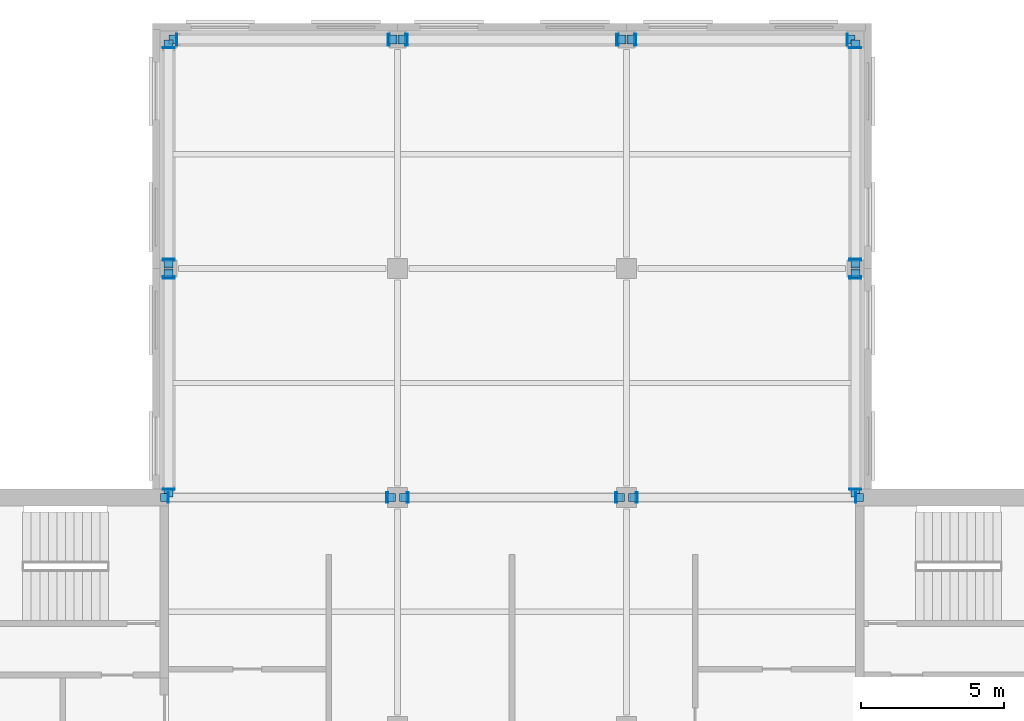
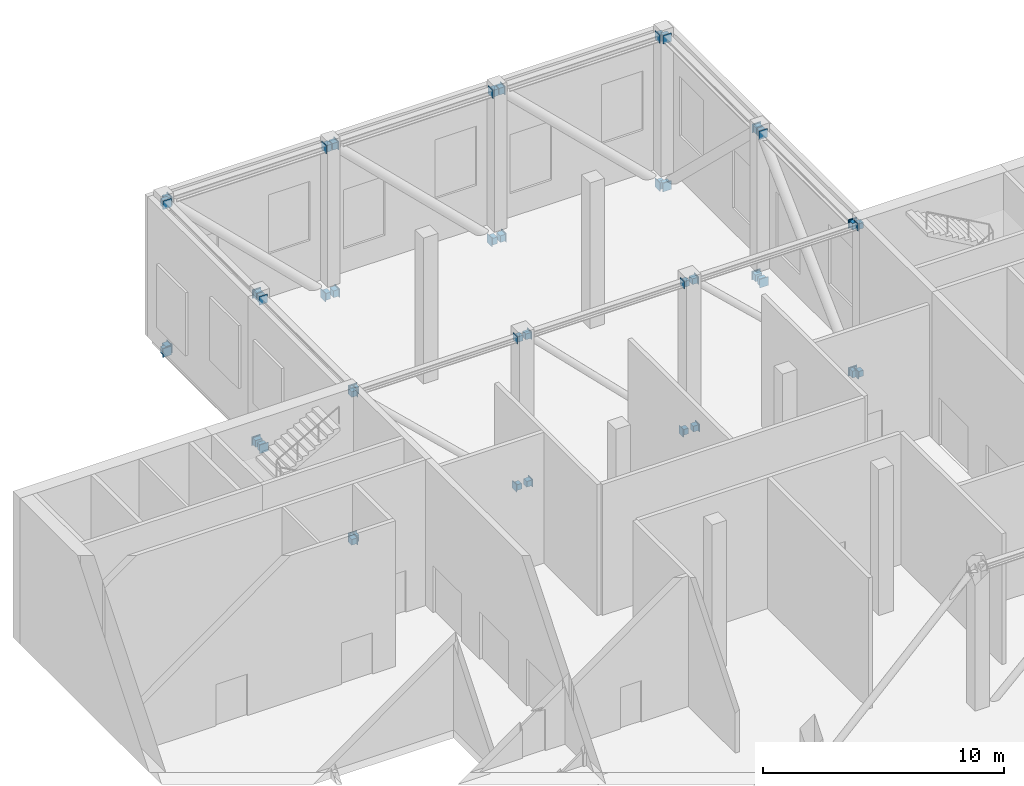
# One storey, part 9 of 10: 80 discrete accessories.
"""IFC4 building model written with IfcOpenShell, lengths in metres."""

from ifc_helpers import new_model, si_unit, direction, frame, origin, origin_2d, place, context, subcontext, project, spatial, rectangle, extrude, material, layer, layer_set, type_object, element, save


model = new_model("IFC4")

# Units and contexts
model_context = context("Model", 3, precision=1e-05, world=origin(), true_north=direction((0.0, 1.0)))
body_context = subcontext(model_context, "Body", "Model", "MODEL_VIEW")
ifc_project = project(units=[si_unit("LENGTHUNIT", "METRE"), si_unit("AREAUNIT", "SQUARE_METRE"), si_unit("VOLUMEUNIT", "CUBIC_METRE"), si_unit("PLANEANGLEUNIT", "RADIAN"), si_unit("MASSUNIT", "GRAM", prefix="KILO")], contexts=[model_context])

# Site, building, storey
site_placement = place(None, origin())
site = spatial("IfcSite", under=ifc_project, at=site_placement, CompositionType="ELEMENT")
building_placement = place(site_placement, origin())
building = spatial("IfcBuilding", under=site, at=building_placement, Name="Crosswind Convention Tower", CompositionType="ELEMENT")
storey_placement = place(building_placement, frame((0.0, 0.0, 237.699951171875)))
storey = spatial("IfcBuildingStorey", under=building, at=storey_placement, Name="L51", CompositionType="ELEMENT", Elevation=237.699951171875)

# Discrete accessories
ifc_material = material(Name="Steel S355", Category="steel")
ifc_layer_1 = layer(ifc_material, 0.030029296875)
ifc_layer_set_1 = layer_set([ifc_layer_1], Name="Steel S355")
discrete_accessory_type_1 = type_object("IfcDiscreteAccessoryType", Name="Cast-in plate 365 x 389 x 30", PredefinedType="ANCHORPLATE", material=ifc_layer_set_1)
for number, where, z_axis, x_axis, name in (
    (1, (112.985107421875, 112.0, -0.739013671875), (0.0, 0.0, 1.0), (1.0, 0.0, 0.0), "EP2 L51 cast-in plate"),
    (2, (120.614990234375, 112.0, -0.739013671875), (0.0, 0.0, 1.0), (1.0, 0.0, 0.0), "EP2 L51 cast-in plate"),
    (3, (112.985107421875, 112.0, 6.760986328125), (0.0, 0.0, 1.0), (1.0, 0.0, 0.0), "EP2 L51 cast-in plate"),
    (4, (120.6650390625, 112.0, 6.760986328125), (0.0, 0.0, 1.0), (1.0, 0.0, 0.0), "EP2 L51 cast-in plate"),
    (5, (121.385009765625, 112.0, -0.739013671875), (0.0, 0.0, 1.0), (1.0, 0.0, 0.0), "EP2 L51 cast-in plate"),
    (6, (128.614990234375, 112.0, -0.739013671875), (0.0, 0.0, 1.0), (1.0, 0.0, 0.0), "EP2 L51 cast-in plate"),
    (7, (121.3349609375, 112.0, 6.760986328125), (0.0, 0.0, 1.0), (1.0, 0.0, 0.0), "EP2 L51 cast-in plate"),
    (8, (128.6650390625, 112.0, 6.760986328125), (0.0, 0.0, 1.0), (1.0, 0.0, 0.0), "EP2 L51 cast-in plate"),
    (9, (129.385009765625, 112.0, -0.739013671875), (0.0, 0.0, 1.0), (1.0, 0.0, 0.0), "EP2 L51 cast-in plate"),
    (10, (137.014892578125, 112.0, -0.739013671875), (0.0, 0.0, 1.0), (1.0, 0.0, 0.0), "EP2 L51 cast-in plate"),
    (11, (129.3349609375, 112.0, 6.760986328125), (0.0, 0.0, 1.0), (1.0, 0.0, 0.0), "EP2 L51 cast-in plate"),
    (12, (137.014892578125, 112.0, 6.760986328125), (0.0, 0.0, 1.0), (1.0, 0.0, 0.0), "EP2 L51 cast-in plate"),
):
    element("IfcDiscreteAccessory", number, at=place(storey_placement, frame(where, z_axis=z_axis, x_axis=x_axis)), inside=storey, type_object=discrete_accessory_type_1, Name=name, PredefinedType="ANCHORPLATE", context=body_context, shape_type="SweptSolid", body=[
        extrude(rectangle(XDim=0.030029296875, YDim=0.364501953125, at=origin_2d()), origin(), (0.0, 0.0, 1.0), 0.38916015625),
    ])
ifc_layer_2 = layer(ifc_material, 0.030029296875)
ifc_layer_set_2 = layer_set([ifc_layer_2], Name="Steel S355")
discrete_accessory_type_2 = type_object("IfcDiscreteAccessoryType", Name="Cast-in plate 414 x 440 x 30", PredefinedType="ANCHORPLATE", material=ifc_layer_set_2)
for number, where, z_axis, x_axis, name in (
    (13, (113.0, 112.284912109375, -0.789794921875), (0.0, 0.0, 1.0), (1.0, 0.0, 0.0), "EP1 L51 cast-in plate"),
    (14, (113.0, 119.6650390625, -0.789794921875), (0.0, 0.0, 1.0), (1.0, 0.0, 0.0), "EP1 L51 cast-in plate"),
    (15, (113.0, 112.284912109375, 6.710205078125), (0.0, 0.0, 1.0), (1.0, 0.0, 0.0), "EP1 L51 cast-in plate"),
    (16, (113.0, 119.715087890625, 6.710205078125), (0.0, 0.0, 1.0), (1.0, 0.0, 0.0), "EP1 L51 cast-in plate"),
    (17, (113.0, 120.3349609375, -0.789794921875), (0.0, 0.0, 1.0), (1.0, 0.0, 0.0), "EP1 L51 cast-in plate"),
    (18, (113.0, 127.715087890625, -0.789794921875), (0.0, 0.0, 1.0), (1.0, 0.0, 0.0), "EP1 L51 cast-in plate"),
    (19, (113.0, 120.284912109375, 6.710205078125), (0.0, 0.0, 1.0), (1.0, 0.0, 0.0), "EP1 L51 cast-in plate"),
    (20, (113.0, 127.715087890625, 6.710205078125), (0.0, 0.0, 1.0), (1.0, 0.0, 0.0), "EP1 L51 cast-in plate"),
):
    element("IfcDiscreteAccessory", number, at=place(storey_placement, frame(where, z_axis=z_axis, x_axis=x_axis)), inside=storey, type_object=discrete_accessory_type_2, Name=name, PredefinedType="ANCHORPLATE", context=body_context, shape_type="SweptSolid", body=[
        extrude(rectangle(XDim=0.4140625, YDim=0.030029296875, at=origin_2d()), origin(), (0.0, 0.0, 1.0), 0.43994140625),
    ])
for number, where, z_axis, x_axis, name in (
    (21, (113.284912109375, 128.0, -0.789794921875), (0.0, 0.0, 1.0), (1.0, 0.0, 0.0), "EP1 L51 cast-in plate"),
    (22, (120.6650390625, 128.0, -0.789794921875), (0.0, 0.0, 1.0), (1.0, 0.0, 0.0), "EP1 L51 cast-in plate"),
    (23, (113.284912109375, 128.0, 6.710205078125), (0.0, 0.0, 1.0), (1.0, 0.0, 0.0), "EP1 L51 cast-in plate"),
    (24, (120.715087890625, 128.0, 6.710205078125), (0.0, 0.0, 1.0), (1.0, 0.0, 0.0), "EP1 L51 cast-in plate"),
    (25, (121.3349609375, 128.0, -0.789794921875), (0.0, 0.0, 1.0), (1.0, 0.0, 0.0), "EP1 L51 cast-in plate"),
    (26, (128.6650390625, 128.0, -0.789794921875), (0.0, 0.0, 1.0), (1.0, 0.0, 0.0), "EP1 L51 cast-in plate"),
    (27, (121.284912109375, 128.0, 6.710205078125), (0.0, 0.0, 1.0), (1.0, 0.0, 0.0), "EP1 L51 cast-in plate"),
    (28, (128.715087890625, 128.0, 6.710205078125), (0.0, 0.0, 1.0), (1.0, 0.0, 0.0), "EP1 L51 cast-in plate"),
    (29, (129.3349609375, 128.0, -0.789794921875), (0.0, 0.0, 1.0), (1.0, 0.0, 0.0), "EP1 L51 cast-in plate"),
    (30, (136.715087890625, 128.0, -0.789794921875), (0.0, 0.0, 1.0), (1.0, 0.0, 0.0), "EP1 L51 cast-in plate"),
    (31, (129.284912109375, 128.0, 6.710205078125), (0.0, 0.0, 1.0), (1.0, 0.0, 0.0), "EP1 L51 cast-in plate"),
    (32, (136.715087890625, 128.0, 6.710205078125), (0.0, 0.0, 1.0), (1.0, 0.0, 0.0), "EP1 L51 cast-in plate"),
):
    element("IfcDiscreteAccessory", number, at=place(storey_placement, frame(where, z_axis=z_axis, x_axis=x_axis)), inside=storey, type_object=discrete_accessory_type_2, Name=name, PredefinedType="ANCHORPLATE", context=body_context, shape_type="SweptSolid", body=[
        extrude(rectangle(XDim=0.030029296875, YDim=0.4140625, at=origin_2d()), origin(), (0.0, 0.0, 1.0), 0.43994140625),
    ])
for number, where, z_axis, x_axis, name in (
    (33, (137.0, 112.284912109375, -0.789794921875), (0.0, 0.0, 1.0), (1.0, 0.0, 0.0), "EP1 L51 cast-in plate"),
    (34, (137.0, 119.6650390625, -0.789794921875), (0.0, 0.0, 1.0), (1.0, 0.0, 0.0), "EP1 L51 cast-in plate"),
    (35, (137.0, 112.284912109375, 6.710205078125), (0.0, 0.0, 1.0), (1.0, 0.0, 0.0), "EP1 L51 cast-in plate"),
    (36, (137.0, 119.715087890625, 6.710205078125), (0.0, 0.0, 1.0), (1.0, 0.0, 0.0), "EP1 L51 cast-in plate"),
    (37, (137.0, 120.3349609375, -0.789794921875), (0.0, 0.0, 1.0), (1.0, 0.0, 0.0), "EP1 L51 cast-in plate"),
    (38, (137.0, 127.715087890625, -0.789794921875), (0.0, 0.0, 1.0), (1.0, 0.0, 0.0), "EP1 L51 cast-in plate"),
    (39, (137.0, 120.284912109375, 6.710205078125), (0.0, 0.0, 1.0), (1.0, 0.0, 0.0), "EP1 L51 cast-in plate"),
    (40, (137.0, 127.715087890625, 6.710205078125), (0.0, 0.0, 1.0), (1.0, 0.0, 0.0), "EP1 L51 cast-in plate"),
):
    element("IfcDiscreteAccessory", number, at=place(storey_placement, frame(where, z_axis=z_axis, x_axis=x_axis)), inside=storey, type_object=discrete_accessory_type_2, Name=name, PredefinedType="ANCHORPLATE", context=body_context, shape_type="SweptSolid", body=[
        extrude(rectangle(XDim=0.4140625, YDim=0.030029296875, at=origin_2d()), origin(), (0.0, 0.0, 1.0), 0.43994140625),
    ])
discrete_accessory_type_3 = type_object("IfcDiscreteAccessoryType", Name="Headed stud group 265 x 289 x 250", PredefinedType="USERDEFINED", material=ifc_material)
for number, where, z_axis, x_axis, name in (
    (41, (112.844970703125, 112.0, -0.68896484375), (0.0, 0.0, 1.0), (1.0, 0.0, 0.0), "AB2 L51 headed stud group"),
    (42, (120.7548828125, 112.0, -0.68896484375), (0.0, 0.0, 1.0), (1.0, 0.0, 0.0), "AB2 L51 headed stud group"),
    (43, (112.844970703125, 112.0, 6.81103515625), (0.0, 0.0, 1.0), (1.0, 0.0, 0.0), "AB2 L51 headed stud group"),
    (44, (120.804931640625, 112.0, 6.81103515625), (0.0, 0.0, 1.0), (1.0, 0.0, 0.0), "AB2 L51 headed stud group"),
    (45, (121.2451171875, 112.0, -0.68896484375), (0.0, 0.0, 1.0), (1.0, 0.0, 0.0), "AB2 L51 headed stud group"),
    (46, (128.7548828125, 112.0, -0.68896484375), (0.0, 0.0, 1.0), (1.0, 0.0, 0.0), "AB2 L51 headed stud group"),
    (47, (121.195068359375, 112.0, 6.81103515625), (0.0, 0.0, 1.0), (1.0, 0.0, 0.0), "AB2 L51 headed stud group"),
    (48, (128.804931640625, 112.0, 6.81103515625), (0.0, 0.0, 1.0), (1.0, 0.0, 0.0), "AB2 L51 headed stud group"),
    (49, (129.2451171875, 112.0, -0.68896484375), (0.0, 0.0, 1.0), (1.0, 0.0, 0.0), "AB2 L51 headed stud group"),
    (50, (137.155029296875, 112.0, -0.68896484375), (0.0, 0.0, 1.0), (1.0, 0.0, 0.0), "AB2 L51 headed stud group"),
    (51, (129.195068359375, 112.0, 6.81103515625), (0.0, 0.0, 1.0), (1.0, 0.0, 0.0), "AB2 L51 headed stud group"),
    (52, (137.155029296875, 112.0, 6.81103515625), (0.0, 0.0, 1.0), (1.0, 0.0, 0.0), "AB2 L51 headed stud group"),
):
    element("IfcDiscreteAccessory", number, at=place(storey_placement, frame(where, z_axis=z_axis, x_axis=x_axis)), inside=storey, type_object=discrete_accessory_type_3, Name=name, ObjectType="HEADED STUD GROUP", PredefinedType="USERDEFINED", context=body_context, shape_type="SweptSolid", body=[
        extrude(rectangle(XDim=0.25, YDim=0.264404296875, at=origin_2d()), origin(), (0.0, 0.0, 1.0), 0.2890625),
    ])
discrete_accessory_type_4 = type_object("IfcDiscreteAccessoryType", Name="Headed stud group 314 x 340 x 250", PredefinedType="USERDEFINED", material=ifc_material)
for number, where, z_axis, x_axis, name in (
    (53, (113.0, 112.14501953125, -0.73974609375), (0.0, 0.0, 1.0), (1.0, 0.0, 0.0), "AB1 L51 headed stud group"),
    (54, (113.0, 119.804931640625, -0.73974609375), (0.0, 0.0, 1.0), (1.0, 0.0, 0.0), "AB1 L51 headed stud group"),
    (55, (113.0, 112.14501953125, 6.76025390625), (0.0, 0.0, 1.0), (1.0, 0.0, 0.0), "AB1 L51 headed stud group"),
    (56, (113.0, 119.85498046875, 6.76025390625), (0.0, 0.0, 1.0), (1.0, 0.0, 0.0), "AB1 L51 headed stud group"),
    (57, (113.0, 120.195068359375, -0.73974609375), (0.0, 0.0, 1.0), (1.0, 0.0, 0.0), "AB1 L51 headed stud group"),
    (58, (113.0, 127.85498046875, -0.73974609375), (0.0, 0.0, 1.0), (1.0, 0.0, 0.0), "AB1 L51 headed stud group"),
    (59, (113.0, 120.14501953125, 6.76025390625), (0.0, 0.0, 1.0), (1.0, 0.0, 0.0), "AB1 L51 headed stud group"),
    (60, (113.0, 127.85498046875, 6.76025390625), (0.0, 0.0, 1.0), (1.0, 0.0, 0.0), "AB1 L51 headed stud group"),
):
    element("IfcDiscreteAccessory", number, at=place(storey_placement, frame(where, z_axis=z_axis, x_axis=x_axis)), inside=storey, type_object=discrete_accessory_type_4, Name=name, ObjectType="HEADED STUD GROUP", PredefinedType="USERDEFINED", context=body_context, shape_type="SweptSolid", body=[
        extrude(rectangle(XDim=0.314208984375, YDim=0.25, at=origin_2d()), origin(), (0.0, 0.0, 1.0), 0.33984375),
    ])
for number, where, z_axis, x_axis, name in (
    (61, (113.14501953125, 128.0, -0.73974609375), (0.0, 0.0, 1.0), (1.0, 0.0, 0.0), "AB1 L51 headed stud group"),
    (62, (120.804931640625, 128.0, -0.73974609375), (0.0, 0.0, 1.0), (1.0, 0.0, 0.0), "AB1 L51 headed stud group"),
    (63, (113.14501953125, 128.0, 6.76025390625), (0.0, 0.0, 1.0), (1.0, 0.0, 0.0), "AB1 L51 headed stud group"),
    (64, (120.85498046875, 128.0, 6.76025390625), (0.0, 0.0, 1.0), (1.0, 0.0, 0.0), "AB1 L51 headed stud group"),
    (65, (121.195068359375, 128.0, -0.73974609375), (0.0, 0.0, 1.0), (1.0, 0.0, 0.0), "AB1 L51 headed stud group"),
    (66, (128.804931640625, 128.0, -0.73974609375), (0.0, 0.0, 1.0), (1.0, 0.0, 0.0), "AB1 L51 headed stud group"),
    (67, (121.14501953125, 128.0, 6.76025390625), (0.0, 0.0, 1.0), (1.0, 0.0, 0.0), "AB1 L51 headed stud group"),
    (68, (128.85498046875, 128.0, 6.76025390625), (0.0, 0.0, 1.0), (1.0, 0.0, 0.0), "AB1 L51 headed stud group"),
    (69, (129.195068359375, 128.0, -0.73974609375), (0.0, 0.0, 1.0), (1.0, 0.0, 0.0), "AB1 L51 headed stud group"),
    (70, (136.85498046875, 128.0, -0.73974609375), (0.0, 0.0, 1.0), (1.0, 0.0, 0.0), "AB1 L51 headed stud group"),
    (71, (129.14501953125, 128.0, 6.76025390625), (0.0, 0.0, 1.0), (1.0, 0.0, 0.0), "AB1 L51 headed stud group"),
    (72, (136.85498046875, 128.0, 6.76025390625), (0.0, 0.0, 1.0), (1.0, 0.0, 0.0), "AB1 L51 headed stud group"),
):
    element("IfcDiscreteAccessory", number, at=place(storey_placement, frame(where, z_axis=z_axis, x_axis=x_axis)), inside=storey, type_object=discrete_accessory_type_4, Name=name, ObjectType="HEADED STUD GROUP", PredefinedType="USERDEFINED", context=body_context, shape_type="SweptSolid", body=[
        extrude(rectangle(XDim=0.25, YDim=0.314208984375, at=origin_2d()), origin(), (0.0, 0.0, 1.0), 0.33984375),
    ])
for number, where, z_axis, x_axis, name in (
    (73, (137.0, 112.14501953125, -0.73974609375), (0.0, 0.0, 1.0), (1.0, 0.0, 0.0), "AB1 L51 headed stud group"),
    (74, (137.0, 119.804931640625, -0.73974609375), (0.0, 0.0, 1.0), (1.0, 0.0, 0.0), "AB1 L51 headed stud group"),
    (75, (137.0, 112.14501953125, 6.76025390625), (0.0, 0.0, 1.0), (1.0, 0.0, 0.0), "AB1 L51 headed stud group"),
    (76, (137.0, 119.85498046875, 6.76025390625), (0.0, 0.0, 1.0), (1.0, 0.0, 0.0), "AB1 L51 headed stud group"),
    (77, (137.0, 120.195068359375, -0.73974609375), (0.0, 0.0, 1.0), (1.0, 0.0, 0.0), "AB1 L51 headed stud group"),
    (78, (137.0, 127.85498046875, -0.73974609375), (0.0, 0.0, 1.0), (1.0, 0.0, 0.0), "AB1 L51 headed stud group"),
    (79, (137.0, 120.14501953125, 6.76025390625), (0.0, 0.0, 1.0), (1.0, 0.0, 0.0), "AB1 L51 headed stud group"),
    (80, (137.0, 127.85498046875, 6.76025390625), (0.0, 0.0, 1.0), (1.0, 0.0, 0.0), "AB1 L51 headed stud group"),
):
    element("IfcDiscreteAccessory", number, at=place(storey_placement, frame(where, z_axis=z_axis, x_axis=x_axis)), inside=storey, type_object=discrete_accessory_type_4, Name=name, ObjectType="HEADED STUD GROUP", PredefinedType="USERDEFINED", context=body_context, shape_type="SweptSolid", body=[
        extrude(rectangle(XDim=0.314208984375, YDim=0.25, at=origin_2d()), origin(), (0.0, 0.0, 1.0), 0.33984375),
    ])

save(model, "model.ifc")
